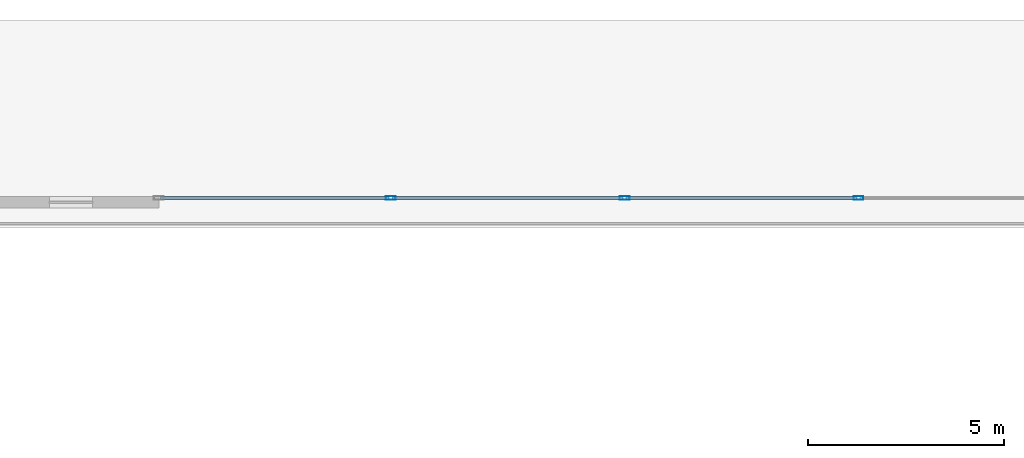
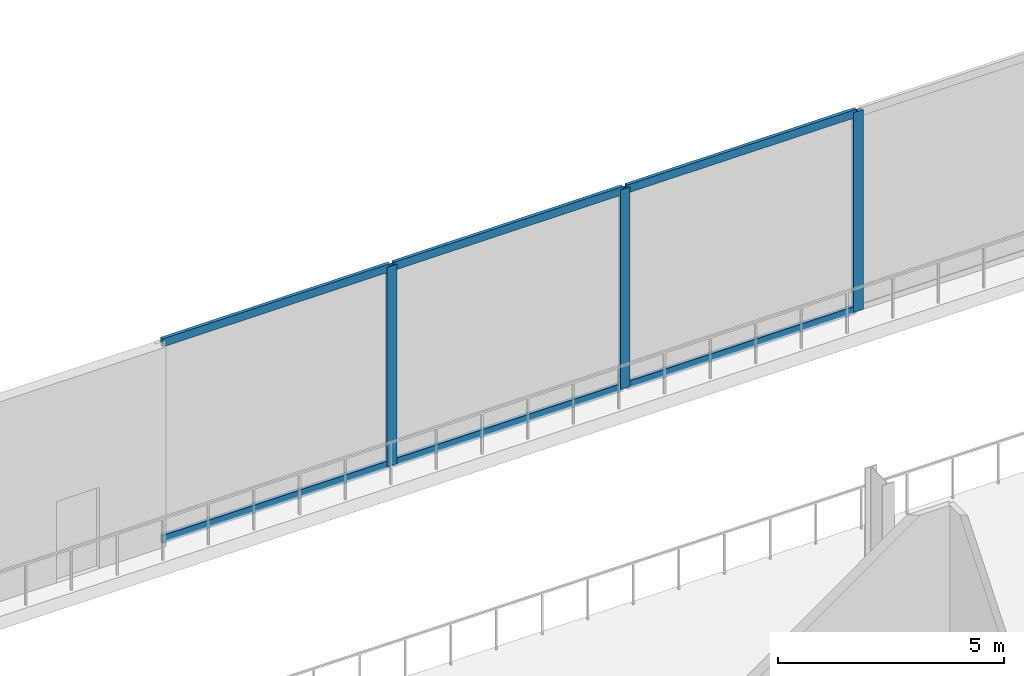
# One storey, part 15 of 27: 9 members, 1 element without a shape of its own.
"""IFC4 building model written with IfcOpenShell, lengths in metres."""

from ifc_helpers import new_model, si_unit, direction, frame, origin, origin_2d, place, context, subcontext, project, spatial, hollow_rectangle, extrude, material, layer, layer_set, material_profile, profile_set, type_object, element, aggregate, save


model = new_model("IFC4")

# Units and contexts
model_context = context("Model", 3, precision=1e-05, world=origin(), true_north=direction((0.0, 1.0)))
body_context = subcontext(model_context, "Body", "Model", "MODEL_VIEW")
ifc_project = project(units=[si_unit("LENGTHUNIT", "METRE"), si_unit("AREAUNIT", "SQUARE_METRE"), si_unit("VOLUMEUNIT", "CUBIC_METRE"), si_unit("PLANEANGLEUNIT", "RADIAN"), si_unit("MASSUNIT", "GRAM", prefix="KILO"), si_unit("THERMODYNAMICTEMPERATUREUNIT", "KELVIN"), si_unit("POWERUNIT", "WATT")], contexts=[model_context])

# Site, building, storey
site_placement = place(None, origin())
site = spatial("IfcSite", under=ifc_project, at=site_placement, CompositionType="ELEMENT")
building_placement = place(site_placement, origin())
building = spatial("IfcBuilding", under=site, at=building_placement, Name="Svarakhadi Broadcast Tower", CompositionType="ELEMENT")
storey_placement = place(building_placement, origin())
storey = spatial("IfcBuildingStorey", under=building, at=storey_placement, Name="L00", CompositionType="ELEMENT", Elevation=0.0)

# Curtain wall, members
ifc_material = material(Name="Anodised Bronze Aluminium AA 6063-T6", Category="aluminium")
ifc_layer = layer(ifc_material, 0.25)
ifc_layer_set = layer_set([ifc_layer], Name="Anodised Bronze Aluminium AA 6063-T6")
curtain_wall_type = type_object("IfcCurtainWallType", Name="CW_Sys_01", PredefinedType="NOTDEFINED", material=ifc_layer_set)
curtain_wall_placement = place(storey_placement, origin())
curtain_wall = element("IfcCurtainWall", 1, at=curtain_wall_placement, inside=storey, type_object=curtain_wall_type, Name="L00 Podium Glazed Curtain Wall 05", PredefinedType="NOTDEFINED")
ifc_material_profile_1 = material_profile(ifc_material, hollow_rectangle(XDim=0.094970703125, YDim=0.25, WallThickness=0.006103515625, at=origin_2d()), Name="ALU MULLION 250x95x6")
ifc_profile_set_1 = profile_set([ifc_material_profile_1], Name="Anodised Bronze Aluminium AA 6063-T6")
member_type_1 = type_object("IfcMemberType", Name="CW_Sys_01_Mul", PredefinedType="MULLION", material=ifc_profile_set_1)
member_1_placement = place(storey_placement, frame((36.053955078125, 47.9599609375, 0.0), z_axis=(0.0, 0.0, 1.0), x_axis=(0.0, 1.0, 0.0)))
member_1 = element("IfcMember", 2, at=member_1_placement, type_object=member_type_1, Name="CW-01 mullion 2", PredefinedType="MULLION", context=body_context, shape_type="SweptSolid", body=[
    extrude(hollow_rectangle(XDim=0.094970703125, YDim=0.25, WallThickness=0.006103515625, at=origin_2d()), origin(), (0.0, 0.0, 1.0), 5.39990234375),
])
member_2_placement = place(storey_placement, frame((42.01806640625, 47.9599609375, 0.0), z_axis=(0.0, 0.0, 1.0), x_axis=(0.0, 1.0, 0.0)))
member_2 = element("IfcMember", 3, at=member_2_placement, type_object=member_type_1, Name="CW-01 mullion 3", PredefinedType="MULLION", context=body_context, shape_type="SweptSolid", body=[
    extrude(hollow_rectangle(XDim=0.094970703125, YDim=0.25, WallThickness=0.006103515625, at=origin_2d()), origin(), (0.0, 0.0, 1.0), 5.39990234375),
])
member_3_placement = place(storey_placement, frame((47.98193359375, 47.9599609375, 0.0), z_axis=(0.0, 0.0, 1.0), x_axis=(0.0, 1.0, 0.0)))
member_3 = element("IfcMember", 4, at=member_3_placement, type_object=member_type_1, Name="CW-01 mullion 4", PredefinedType="MULLION", context=body_context, shape_type="SweptSolid", body=[
    extrude(hollow_rectangle(XDim=0.094970703125, YDim=0.25, WallThickness=0.006103515625, at=origin_2d()), origin(), (0.0, 0.0, 1.0), 5.39990234375),
])
ifc_material_profile_2 = material_profile(ifc_material, hollow_rectangle(XDim=0.0849609375, YDim=0.219970703125, WallThickness=0.0048828125, at=origin_2d()), Name="ALU TRANSOM 220x85x5")
ifc_profile_set_2 = profile_set([ifc_material_profile_2], Name="Anodised Bronze Aluminium AA 6063-T6")
member_type_2 = type_object("IfcMemberType", Name="CW_Sys_01_Trn", PredefinedType="USERDEFINED", material=ifc_profile_set_2)
member_4_placement = place(storey_placement, frame((30.18505859375, 47.9599609375, 0.04248046875), z_axis=(1.0, 0.0, 0.0), x_axis=(0.0, 1.0, 0.0)))
member_4 = element("IfcMember", 5, at=member_4_placement, type_object=member_type_2, Name="CW-01 transom 1.1", ObjectType="TRANSOM", PredefinedType="USERDEFINED", context=body_context, shape_type="SweptSolid", body=[
    extrude(hollow_rectangle(XDim=0.0849609375, YDim=0.219970703125, WallThickness=0.0048828125, at=origin_2d()), origin(), (0.0, 0.0, 1.0), 5.821533203125),
])
member_5_placement = place(storey_placement, frame((30.18505859375, 47.9599609375, 5.357421875), z_axis=(1.0, 0.0, 0.0), x_axis=(0.0, 1.0, 0.0)))
member_5 = element("IfcMember", 6, at=member_5_placement, type_object=member_type_2, Name="CW-01 transom 1.2", ObjectType="TRANSOM", PredefinedType="USERDEFINED", context=body_context, shape_type="SweptSolid", body=[
    extrude(hollow_rectangle(XDim=0.0849609375, YDim=0.219970703125, WallThickness=0.0048828125, at=origin_2d()), origin(), (0.0, 0.0, 1.0), 5.821533203125),
])
member_6_placement = place(storey_placement, frame((36.1015625, 47.9599609375, 0.04248046875), z_axis=(1.0, 0.0, 0.0), x_axis=(0.0, 1.0, 0.0)))
member_6 = element("IfcMember", 7, at=member_6_placement, type_object=member_type_2, Name="CW-01 transom 2.1", ObjectType="TRANSOM", PredefinedType="USERDEFINED", context=body_context, shape_type="SweptSolid", body=[
    extrude(hollow_rectangle(XDim=0.0849609375, YDim=0.219970703125, WallThickness=0.0048828125, at=origin_2d()), origin(), (0.0, 0.0, 1.0), 5.868896484375),
])
member_7_placement = place(storey_placement, frame((36.1015625, 47.9599609375, 5.357421875), z_axis=(1.0, 0.0, 0.0), x_axis=(0.0, 1.0, 0.0)))
member_7 = element("IfcMember", 8, at=member_7_placement, type_object=member_type_2, Name="CW-01 transom 2.2", ObjectType="TRANSOM", PredefinedType="USERDEFINED", context=body_context, shape_type="SweptSolid", body=[
    extrude(hollow_rectangle(XDim=0.0849609375, YDim=0.219970703125, WallThickness=0.0048828125, at=origin_2d()), origin(), (0.0, 0.0, 1.0), 5.868896484375),
])
member_8_placement = place(storey_placement, frame((42.0654296875, 47.9599609375, 0.04248046875), z_axis=(1.0, 0.0, 0.0), x_axis=(0.0, 1.0, 0.0)))
member_8 = element("IfcMember", 9, at=member_8_placement, type_object=member_type_2, Name="CW-01 transom 3.1", ObjectType="TRANSOM", PredefinedType="USERDEFINED", context=body_context, shape_type="SweptSolid", body=[
    extrude(hollow_rectangle(XDim=0.0849609375, YDim=0.219970703125, WallThickness=0.0048828125, at=origin_2d()), origin(), (0.0, 0.0, 1.0), 5.869140625),
])
member_9_placement = place(storey_placement, frame((42.0654296875, 47.9599609375, 5.357421875), z_axis=(1.0, 0.0, 0.0), x_axis=(0.0, 1.0, 0.0)))
member_9 = element("IfcMember", 10, at=member_9_placement, type_object=member_type_2, Name="CW-01 transom 3.2", ObjectType="TRANSOM", PredefinedType="USERDEFINED", context=body_context, shape_type="SweptSolid", body=[
    extrude(hollow_rectangle(XDim=0.0849609375, YDim=0.219970703125, WallThickness=0.0048828125, at=origin_2d()), origin(), (0.0, 0.0, 1.0), 5.869140625),
])
aggregate(curtain_wall, [member_1, member_2, member_3, member_4, member_5, member_6, member_7, member_8, member_9])

save(model, "model.ifc")
